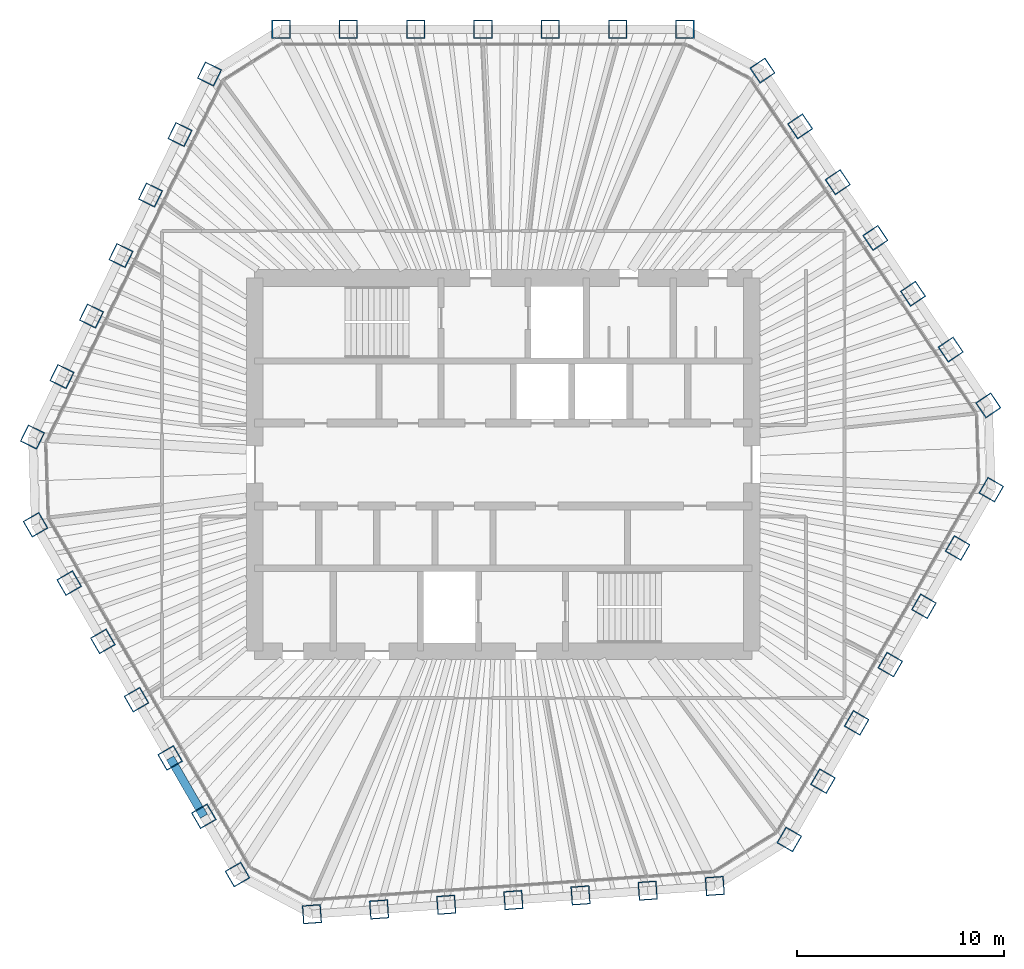
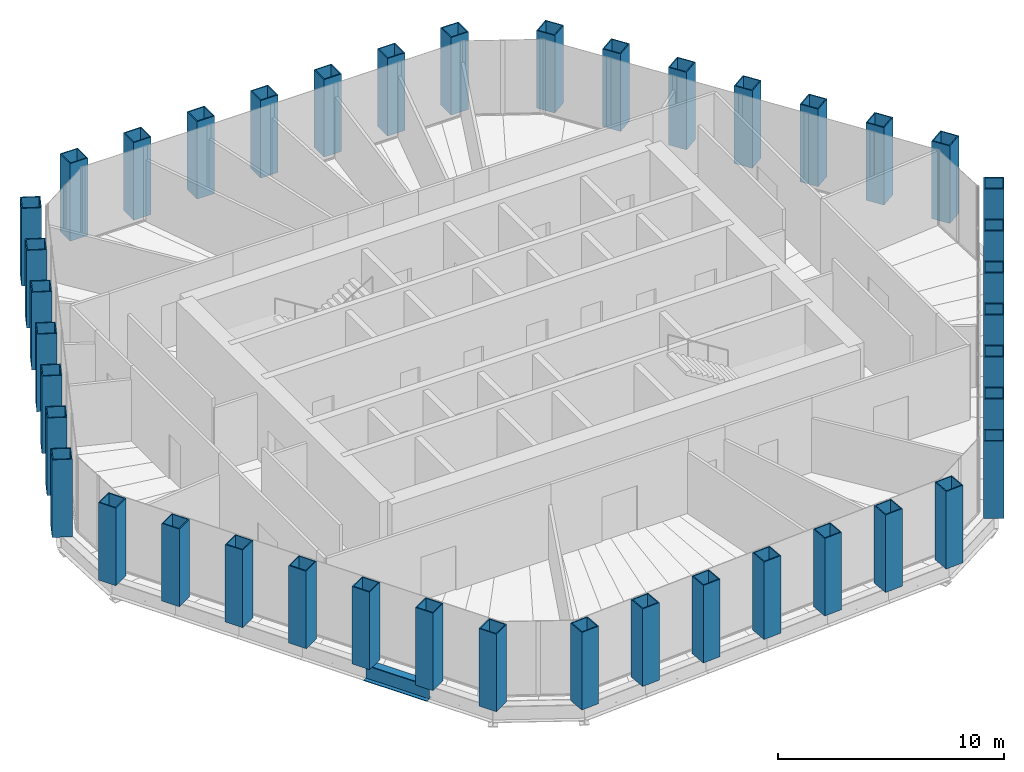
# One storey, part 1 of 14: 42 columns, 1 beam.
"""IFC4 building model written with IfcOpenShell, lengths in metres."""

from ifc_helpers import new_model, si_unit, direction, frame, origin, origin_2d, place, context, subcontext, project, spatial, hollow_rectangle, i_section, extrude, material, material_profile, profile_set, type_object, element, save


model = new_model("IFC4")

# Units and contexts
model_context = context("Model", 3, precision=1e-05, world=origin(), true_north=direction((0.0, 1.0)))
body_context = subcontext(model_context, "Body", "Model", "MODEL_VIEW")
ifc_project = project(units=[si_unit("LENGTHUNIT", "METRE"), si_unit("AREAUNIT", "SQUARE_METRE"), si_unit("VOLUMEUNIT", "CUBIC_METRE"), si_unit("PLANEANGLEUNIT", "RADIAN"), si_unit("MASSUNIT", "GRAM", prefix="KILO")], contexts=[model_context])

# Site, building, storey
site_placement = place(None, origin())
site = spatial("IfcSite", under=ifc_project, at=site_placement, CompositionType="ELEMENT")
building_placement = place(site_placement, origin())
building = spatial("IfcBuilding", under=site, at=building_placement, Name="Qingtian Harvest Tower", CompositionType="ELEMENT")
storey_placement = place(building_placement, frame((0.0, 0.0, 316.60009765625)))
storey = spatial("IfcBuildingStorey", under=building, at=storey_placement, Name="L70", CompositionType="ELEMENT", Elevation=316.60009765625)

# Columns
ifc_material_1 = material(Name="Steel SM570MC", Category="steel")
ifc_material_profile_1 = material_profile(ifc_material_1, hollow_rectangle(XDim=0.89990234375, YDim=0.89990234375, WallThickness=0.050048828125, at=origin_2d()), Name="BOX900x900x50")
ifc_profile_set_1 = profile_set([ifc_material_profile_1], Name="Steel SM570MC")
column_type = type_object("IfcColumnType", Name="Tube column TC8 BOX900x900x50", PredefinedType="COLUMN", material=ifc_profile_set_1)
for number, where, z_axis, x_axis, name in (
    (1, (-10.72216796875, 21.0, 0.0), (0.0, 0.0, 1.0), (-1.0, 0.0, 0.0), "Tube column TC8 N0"),
    (2, (-7.47412109375, 21.0, 0.0), (0.0, 0.0, 1.0), (-1.0, 0.0, 0.0), "Tube column TC8 N1"),
    (3, (-4.226318359375, 21.0, 0.0), (0.0, 0.0, 1.0), (-1.0, 0.0, 0.0), "Tube column TC8 N2"),
    (4, (-0.978271484375, 21.0, 0.0), (0.0, 0.0, 1.0), (-1.0, 0.0, 0.0), "Tube column TC8 N3"),
    (5, (2.269775390625, 21.0, 0.0), (0.0, 0.0, 1.0), (-1.0, 0.0, 0.0), "Tube column TC8 N4"),
    (6, (5.517822265625, 21.0, 0.0), (0.0, 0.0, 1.0), (-1.0, 0.0, 0.0), "Tube column TC8 N5"),
    (7, (8.765869140625, 21.0, 0.0), (0.0, 0.0, 1.0), (-1.0, 0.0, 0.0), "Tube column TC8 N6"),
    (8, (12.508056640625, 19.01025390625, 0.0), (0.0, 0.0, 1.0), (-0.559192903471, 0.829037572555, 0.0), "Tube column TC8 NE0"),
    (9, (14.32421875, 16.317626953125, 0.0), (0.0, 0.0, 1.0), (-0.559192903471, 0.829037572555, 0.0), "Tube column TC8 NE1"),
    (10, (16.140625, 13.624755859375, 0.0), (0.0, 0.0, 1.0), (-0.559192903471, 0.829037572555, 0.0), "Tube column TC8 NE2"),
    (11, (17.956787109375, 10.93212890625, 0.0), (0.0, 0.0, 1.0), (-0.559192903471, 0.829037572555, 0.0), "Tube column TC8 NE3"),
    (12, (19.77294921875, 8.2392578125, 0.0), (0.0, 0.0, 1.0), (-0.559192903471, 0.829037572555, 0.0), "Tube column TC8 NE4"),
    (13, (21.58935546875, 5.546630859375, 0.0), (0.0, 0.0, 1.0), (-0.559192903471, 0.829037572555, 0.0), "Tube column TC8 NE5"),
    (14, (23.405517578125, 2.85400390625, 0.0), (0.0, 0.0, 1.0), (-0.559192903471, 0.829037572555, 0.0), "Tube column TC8 NE6"),
    (15, (23.547607421875, -1.21435546875, 0.0), (0.0, 0.0, 1.0), (0.5, 0.866025403784, 0.0), "Tube column TC8 SE0"),
    (16, (21.923583984375, -4.027099609375, 0.0), (0.0, 0.0, 1.0), (0.5, 0.866025403784, 0.0), "Tube column TC8 SE1"),
    (17, (20.299560546875, -6.840087890625, 0.0), (0.0, 0.0, 1.0), (0.5, 0.866025403784, 0.0), "Tube column TC8 SE2"),
    (18, (18.675537109375, -9.65283203125, 0.0), (0.0, 0.0, 1.0), (0.5, 0.866025403784, 0.0), "Tube column TC8 SE3"),
    (19, (17.051513671875, -12.4658203125, 0.0), (0.0, 0.0, 1.0), (0.5, 0.866025403784, 0.0), "Tube column TC8 SE4"),
    (20, (15.427490234375, -15.278564453125, 0.0), (0.0, 0.0, 1.0), (0.5, 0.866025403784, 0.0), "Tube column TC8 SE5"),
    (21, (13.803466796875, -18.091552734375, 0.0), (0.0, 0.0, 1.0), (0.5, 0.866025403784, 0.0), "Tube column TC8 SE6"),
    (22, (10.20947265625, -20.33740234375, 0.0), (0.0, 0.0, 1.0), (0.99756405026, 0.069756473744, 0.0), "Tube column TC8 S0"),
    (23, (6.96923828125, -20.56396484375, 0.0), (0.0, 0.0, 1.0), (0.99756405026, 0.069756473744, 0.0), "Tube column TC8 S1"),
    (24, (3.729248046875, -20.79052734375, 0.0), (0.0, 0.0, 1.0), (0.99756405026, 0.069756473744, 0.0), "Tube column TC8 S2"),
    (25, (0.489013671875, -21.01708984375, 0.0), (0.0, 0.0, 1.0), (0.99756405026, 0.069756473744, 0.0), "Tube column TC8 S3"),
    (26, (-2.7509765625, -21.24365234375, 0.0), (0.0, 0.0, 1.0), (0.99756405026, 0.069756473744, 0.0), "Tube column TC8 S4"),
    (27, (-5.9912109375, -21.47021484375, 0.0), (0.0, 0.0, 1.0), (0.99756405026, 0.069756473744, 0.0), "Tube column TC8 S5"),
    (28, (-9.231201171875, -21.69677734375, 0.0), (0.0, 0.0, 1.0), (0.99756405026, 0.069756473744, 0.0), "Tube column TC8 S6"),
    (29, (-12.825439453125, -19.78564453125, 0.0), (0.0, 0.0, 1.0), (0.5, -0.866025403784, 0.0), "Tube column TC8 SW0"),
    (30, (-14.449462890625, -16.972900390625, 0.0), (0.0, 0.0, 1.0), (0.5, -0.866025403784, 0.0), "Tube column TC8 SW1"),
    (31, (-16.073486328125, -14.159912109375, 0.0), (0.0, 0.0, 1.0), (0.5, -0.866025403784, 0.0), "Tube column TC8 SW2"),
    (32, (-17.697509765625, -11.34716796875, 0.0), (0.0, 0.0, 1.0), (0.5, -0.866025403784, 0.0), "Tube column TC8 SW3"),
    (33, (-19.321533203125, -8.5341796875, 0.0), (0.0, 0.0, 1.0), (0.5, -0.866025403784, 0.0), "Tube column TC8 SW4"),
    (34, (-20.945556640625, -5.721435546875, 0.0), (0.0, 0.0, 1.0), (0.5, -0.866025403784, 0.0), "Tube column TC8 SW5"),
    (35, (-22.569580078125, -2.908447265625, 0.0), (0.0, 0.0, 1.0), (0.5, -0.866025403784, 0.0), "Tube column TC8 SW6"),
    (36, (-22.71728515625, 1.3271484375, 0.0), (0.0, 0.0, 1.0), (-0.438371146789, -0.898794046299, 0.0), "Tube column TC8 NW0"),
    (37, (-21.29345703125, 4.246337890625, 0.0), (0.0, 0.0, 1.0), (-0.438371146789, -0.898794046299, 0.0), "Tube column TC8 NW1"),
    (38, (-19.86962890625, 7.165771484375, 0.0), (0.0, 0.0, 1.0), (-0.438371146789, -0.898794046299, 0.0), "Tube column TC8 NW2"),
    (39, (-18.44580078125, 10.0849609375, 0.0), (0.0, 0.0, 1.0), (-0.438371146789, -0.898794046299, 0.0), "Tube column TC8 NW3"),
    (40, (-17.02197265625, 13.00439453125, 0.0), (0.0, 0.0, 1.0), (-0.438371146789, -0.898794046299, 0.0), "Tube column TC8 NW4"),
    (41, (-15.59814453125, 15.923583984375, 0.0), (0.0, 0.0, 1.0), (-0.438371146789, -0.898794046299, 0.0), "Tube column TC8 NW5"),
    (42, (-14.17431640625, 18.8427734375, 0.0), (0.0, 0.0, 1.0), (-0.438371146789, -0.898794046299, 0.0), "Tube column TC8 NW6"),
):
    element("IfcColumn", number, at=place(storey_placement, frame(where, z_axis=z_axis, x_axis=x_axis)), inside=storey, type_object=column_type, Name=name, PredefinedType="COLUMN", context=body_context, shape_type="SweptSolid", body=[
        extrude(hollow_rectangle(XDim=0.89990234375, YDim=0.89990234375, WallThickness=0.050048828125, at=origin_2d()), origin(), (0.0, 0.0, 1.0), 4.199951171875),
    ])

# Beam
ifc_material_2 = material(Name="Steel SN490B", Category="steel")
ifc_material_profile_2 = material_profile(ifc_material_2, i_section(OverallWidth=0.39990234375, OverallDepth=0.89990234375, WebThickness=0.01904296875, FlangeThickness=0.035888671875, at=origin_2d()), Name="H900x400x19x36")
ifc_profile_set_2 = profile_set([ifc_material_profile_2], Name="Steel SN490B")
beam_type = type_object("IfcBeamType", Name="Spandrel beam SB4 H900x400x19x36", PredefinedType="SPANDREL", material=ifc_profile_set_2)
beam_placement = place(storey_placement, frame((-14.449462890625, -16.972900390625, -0.4501953125), z_axis=(-0.499987045439, 0.866032882975, 0.0), x_axis=(-0.866032882975, -0.499987045439, 0.0)))
element("IfcBeam", 43, at=beam_placement, inside=storey, type_object=beam_type, Name="Spandrel SB4 SW1", PredefinedType="SPANDREL", context=body_context, shape_type="SweptSolid", body=[
    extrude(i_section(OverallWidth=0.39990234375, OverallDepth=0.89990234375, WebThickness=0.01904296875, FlangeThickness=0.035888671875, at=origin_2d()), origin(), (0.0, 0.0, 1.0), 3.248046875),
])

save(model, "model.ifc")
